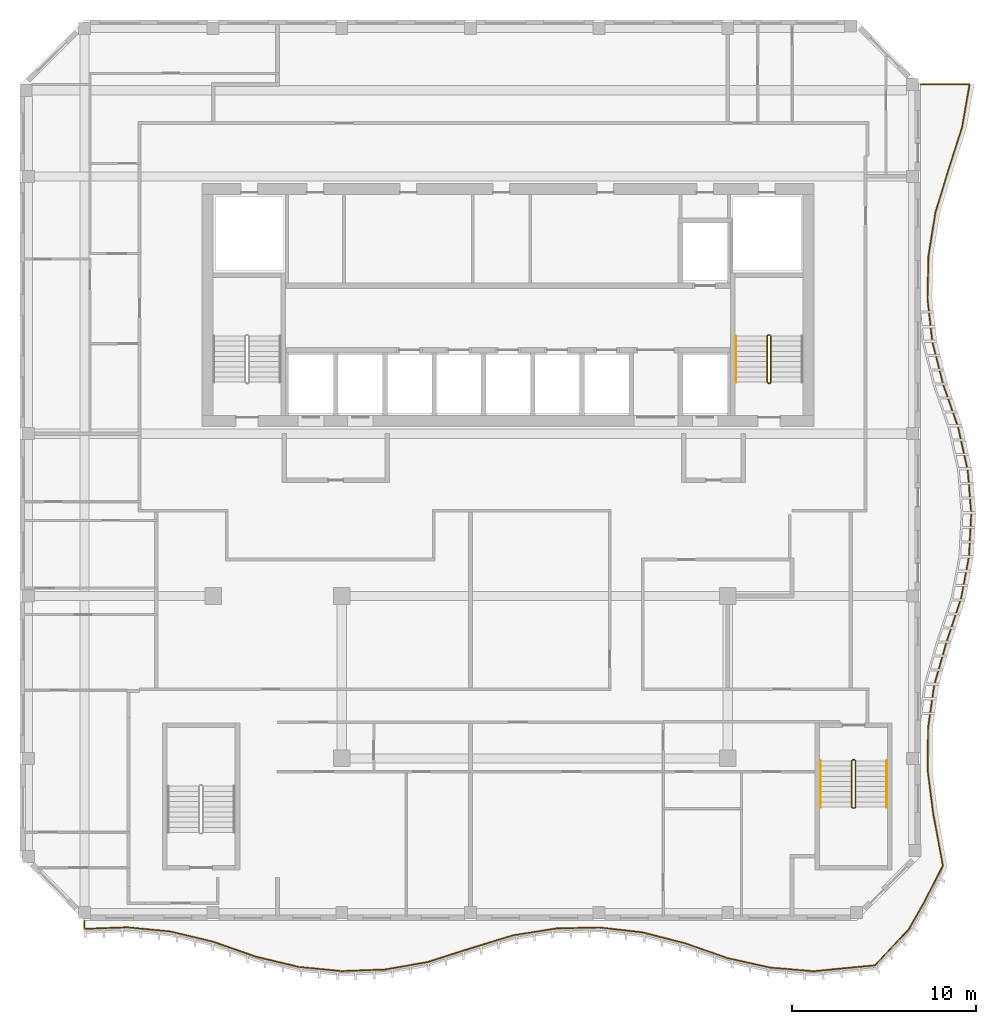
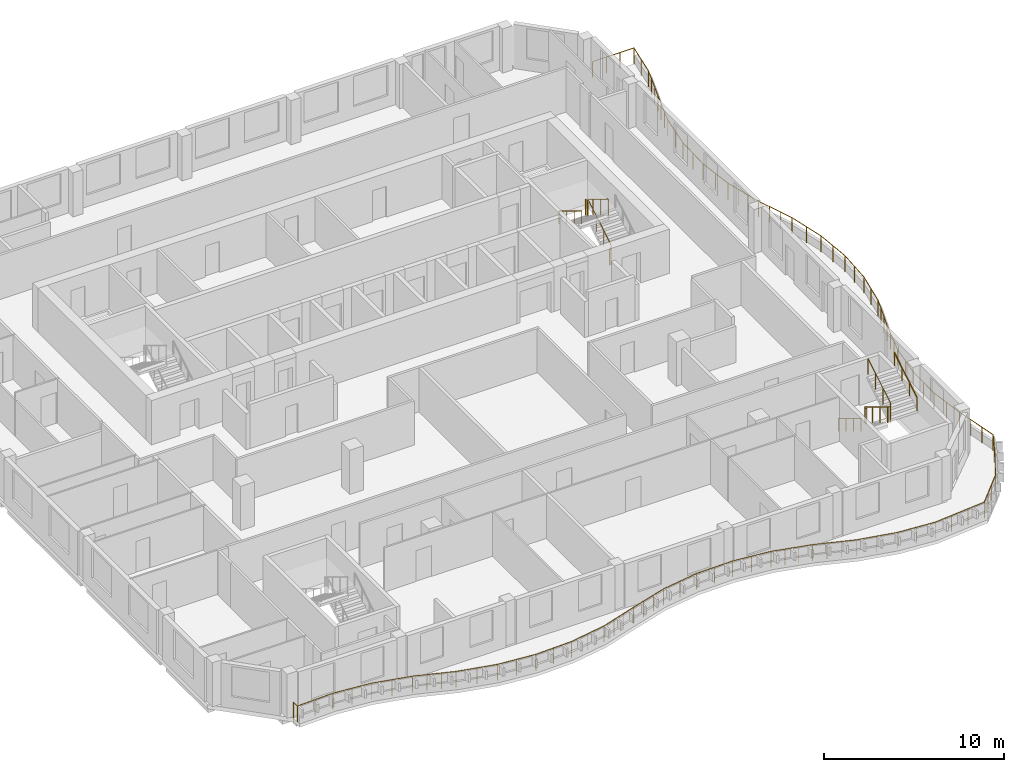
# One storey, part 12 of 13: 6 railings.
"""IFC4 building model written with IfcOpenShell, lengths in metres."""

from ifc_helpers import new_model, si_unit, direction, frame, origin, origin_2d, place, context, subcontext, project, spatial, circle, extrude, material, type_object, element, save


model = new_model("IFC4")

# Units and contexts
model_context = context("Model", 3, precision=1e-05, world=origin(), true_north=direction((0.0, 1.0)))
body_context = subcontext(model_context, "Body", "Model", "MODEL_VIEW")
ifc_project = project(units=[si_unit("LENGTHUNIT", "METRE"), si_unit("AREAUNIT", "SQUARE_METRE"), si_unit("VOLUMEUNIT", "CUBIC_METRE"), si_unit("PLANEANGLEUNIT", "RADIAN"), si_unit("MASSUNIT", "GRAM", prefix="KILO")], contexts=[model_context])

# Site, building, storey
site_placement = place(None, origin())
site = spatial("IfcSite", under=ifc_project, at=site_placement, CompositionType="ELEMENT")
building_placement = place(site_placement, origin())
building = spatial("IfcBuilding", under=site, at=building_placement, Name="Kilnfold Tower and Market Hall", CompositionType="ELEMENT")
storey_placement = place(building_placement, frame((0.0, 0.0, 287.39990234375)))
storey = spatial("IfcBuildingStorey", under=building, at=storey_placement, Name="L71", CompositionType="ELEMENT", Elevation=287.39990234375)

# Railings
ifc_material_1 = material(Name="Stainless steel 316", Category="steel")
railing_type_1 = type_object("IfcRailingType", Name="CORE STAIR GUARD 1100", PredefinedType="GUARDRAIL", material=ifc_material_1)
railing_1_placement = place(storey_placement, frame((15.199951171875, 10.75, 0.0)))
element("IfcRailing", 1, at=railing_1_placement, inside=storey, type_object=railing_type_1, Name="L71 ST2 stair guard 1", PredefinedType="GUARDRAIL", context=body_context, shape_type="SweptSolid", body=[
    extrude(circle(Radius=0.02392578125, at=origin_2d()), frame((0.0, 0.0, 1.076171875), z_axis=(1.0, 0.0, 0.0), x_axis=(0.0, 1.0, 0.0)), (0.0, 0.0, 1.0), 0.10009765625),
    extrude(circle(Radius=0.02392578125, at=origin_2d()), frame((0.10009765625, 0.0, 1.076171875), z_axis=(0.271562723297, 0.271562723297, 0.923313259209), x_axis=(-0.707106781187, 0.707106781187, 0.0)), (0.0, 0.0, 1.0), 0.184326171875),
    extrude(circle(Radius=0.02392578125, at=origin_2d()), frame((0.150146484375, 0.050048828125, 1.24609375), z_axis=(0.0, 0.85478489116, 0.518982456201), x_axis=(-1.0, 0.0, 0.0)), (0.0, 0.0, 1.0), 2.9482421875),
    extrude(circle(Radius=0.02392578125, at=origin_2d()), frame((0.150146484375, 2.570068359375, 2.7763671875), z_axis=(-0.707106781187, 0.707106781187, 0.0), x_axis=(-0.707106781187, -0.707106781187, 0.0)), (0.0, 0.0, 1.0), 0.07080078125),
    extrude(circle(Radius=0.02392578125, at=origin_2d()), frame((0.10009765625, 2.6201171875, 2.7763671875), z_axis=(-1.0, 0.0, 0.0), x_axis=(0.0, -1.0, 0.0)), (0.0, 0.0, 1.0), 0.10009765625),
    extrude(circle(Radius=0.02392578125, at=origin_2d()), frame((0.0, 2.6201171875, 2.7763671875), z_axis=(-0.271895245746, -0.271895245746, 0.923117517265), x_axis=(0.707106781187, -0.707106781187, 0.0)), (0.0, 0.0, 1.0), 0.18408203125),
    extrude(circle(Radius=0.02392578125, at=origin_2d()), frame((-0.050048828125, 2.570068359375, 2.9462890625), z_axis=(0.0, -0.85478489116, 0.518982456201), x_axis=(1.0, 0.0, 0.0)), (0.0, 0.0, 1.0), 2.9482421875),
    extrude(circle(Radius=0.02099609375, at=origin_2d()), origin(), (0.0, 0.0, 1.0), 1.052001953125),
    extrude(circle(Radius=0.02099609375, at=origin_2d()), frame((0.10009765625, 0.0, 0.0)), (0.0, 0.0, 1.0), 1.052001953125),
    extrude(circle(Radius=0.02099609375, at=origin_2d()), frame((0.150146484375, 0.050048828125, 0.170166015625)), (0.0, 0.0, 1.0), 1.052001953125),
    extrude(circle(Radius=0.02099609375, at=origin_2d()), frame((0.150146484375, 0.89013671875, 0.68017578125)), (0.0, 0.0, 1.0), 1.052001953125),
    extrude(circle(Radius=0.02099609375, at=origin_2d()), frame((0.150146484375, 1.72998046875, 1.190185546875)), (0.0, 0.0, 1.0), 1.052001953125),
    extrude(circle(Radius=0.02099609375, at=origin_2d()), frame((0.150146484375, 2.570068359375, 1.7001953125)), (0.0, 0.0, 1.0), 1.052001953125),
    extrude(circle(Radius=0.02099609375, at=origin_2d()), frame((0.10009765625, 2.6201171875, 1.7001953125)), (0.0, 0.0, 1.0), 1.052001953125),
    extrude(circle(Radius=0.02099609375, at=origin_2d()), frame((0.0, 2.6201171875, 1.7001953125)), (0.0, 0.0, 1.0), 1.052001953125),
    extrude(circle(Radius=0.02099609375, at=origin_2d()), frame((-0.050048828125, 2.570068359375, 1.8701171875)), (0.0, 0.0, 1.0), 1.052001953125),
    extrude(circle(Radius=0.02099609375, at=origin_2d()), frame((-0.050048828125, 1.72998046875, 2.380126953125)), (0.0, 0.0, 1.0), 1.052001953125),
    extrude(circle(Radius=0.02099609375, at=origin_2d()), frame((-0.050048828125, 0.89013671875, 2.89013671875)), (0.0, 0.0, 1.0), 1.052001953125),
    extrude(circle(Radius=0.02099609375, at=origin_2d()), frame((-0.050048828125, 0.050048828125, 3.400146484375)), (0.0, 0.0, 1.0), 1.052001953125),
])
railing_2_placement = place(storey_placement, frame((19.89990234375, -9.75, 0.0)))
element("IfcRailing", 2, at=railing_2_placement, inside=storey, type_object=railing_type_1, Name="L71 ST4 stair guard 1", PredefinedType="GUARDRAIL", context=body_context, shape_type="SweptSolid", body=[
    extrude(circle(Radius=0.02392578125, at=origin_2d()), frame((0.0, 0.0, 1.076171875), z_axis=(-1.0, 0.0, 0.0), x_axis=(0.0, -1.0, 0.0)), (0.0, 0.0, 1.0), 0.099853515625),
    extrude(circle(Radius=0.02392578125, at=origin_2d()), frame((-0.099853515625, 0.0, 1.076171875), z_axis=(-0.271562723297, -0.271562723297, 0.923313259209), x_axis=(0.707106781187, -0.707106781187, 0.0)), (0.0, 0.0, 1.0), 0.184326171875),
    extrude(circle(Radius=0.02392578125, at=origin_2d()), frame((-0.14990234375, -0.050048828125, 1.24609375), z_axis=(0.0, -0.85478489116, 0.518982456201), x_axis=(1.0, 0.0, 0.0)), (0.0, 0.0, 1.0), 2.9482421875),
    extrude(circle(Radius=0.02392578125, at=origin_2d()), frame((-0.14990234375, -2.570068359375, 2.7763671875), z_axis=(0.707106781187, -0.707106781187, 0.0), x_axis=(0.707106781187, 0.707106781187, 0.0)), (0.0, 0.0, 1.0), 0.07080078125),
    extrude(circle(Radius=0.02392578125, at=origin_2d()), frame((-0.099853515625, -2.6201171875, 2.7763671875), z_axis=(1.0, 0.0, 0.0), x_axis=(0.0, 1.0, 0.0)), (0.0, 0.0, 1.0), 0.099853515625),
    extrude(circle(Radius=0.02392578125, at=origin_2d()), frame((0.0, -2.6201171875, 2.7763671875), z_axis=(0.271895245746, 0.271895245746, 0.923117517265), x_axis=(-0.707106781187, 0.707106781187, 0.0)), (0.0, 0.0, 1.0), 0.18408203125),
    extrude(circle(Radius=0.02392578125, at=origin_2d()), frame((0.050048828125, -2.570068359375, 2.9462890625), z_axis=(0.0, 0.85478489116, 0.518982456201), x_axis=(-1.0, 0.0, 0.0)), (0.0, 0.0, 1.0), 2.9482421875),
    extrude(circle(Radius=0.02099609375, at=origin_2d()), origin(), (0.0, 0.0, 1.0), 1.052001953125),
    extrude(circle(Radius=0.02099609375, at=origin_2d()), frame((-0.099853515625, 0.0, 0.0)), (0.0, 0.0, 1.0), 1.052001953125),
    extrude(circle(Radius=0.02099609375, at=origin_2d()), frame((-0.14990234375, -0.050048828125, 0.170166015625)), (0.0, 0.0, 1.0), 1.052001953125),
    extrude(circle(Radius=0.02099609375, at=origin_2d()), frame((-0.14990234375, -0.89013671875, 0.68017578125)), (0.0, 0.0, 1.0), 1.052001953125),
    extrude(circle(Radius=0.02099609375, at=origin_2d()), frame((-0.14990234375, -1.72998046875, 1.190185546875)), (0.0, 0.0, 1.0), 1.052001953125),
    extrude(circle(Radius=0.02099609375, at=origin_2d()), frame((-0.14990234375, -2.570068359375, 1.7001953125)), (0.0, 0.0, 1.0), 1.052001953125),
    extrude(circle(Radius=0.02099609375, at=origin_2d()), frame((-0.099853515625, -2.6201171875, 1.7001953125)), (0.0, 0.0, 1.0), 1.052001953125),
    extrude(circle(Radius=0.02099609375, at=origin_2d()), frame((0.0, -2.6201171875, 1.7001953125)), (0.0, 0.0, 1.0), 1.052001953125),
    extrude(circle(Radius=0.02099609375, at=origin_2d()), frame((0.050048828125, -2.570068359375, 1.8701171875)), (0.0, 0.0, 1.0), 1.052001953125),
    extrude(circle(Radius=0.02099609375, at=origin_2d()), frame((0.050048828125, -1.72998046875, 2.380126953125)), (0.0, 0.0, 1.0), 1.052001953125),
    extrude(circle(Radius=0.02099609375, at=origin_2d()), frame((0.050048828125, -0.89013671875, 2.89013671875)), (0.0, 0.0, 1.0), 1.052001953125),
    extrude(circle(Radius=0.02099609375, at=origin_2d()), frame((0.050048828125, -0.050048828125, 3.400146484375)), (0.0, 0.0, 1.0), 1.052001953125),
])
ifc_material_2 = material(Name="Stainless steel 316", Category="steel")
railing_type_2 = type_object("IfcRailingType", Name="CORE STAIR HANDRAIL 900", PredefinedType="HANDRAIL", material=ifc_material_2)
for number, where, name in (
    (3, (13.449951171875, 13.320068359375, 1.8701171875), "L71 ST2 stair handrail 2"),
    (4, (18.050048828125, -9.800048828125, 0.170166015625), "L71 ST4 stair handrail 1"),
):
    element("IfcRailing", number, at=place(storey_placement, frame(where)), inside=storey, type_object=railing_type_2, Name=name, PredefinedType="HANDRAIL", context=body_context, shape_type="SweptSolid", body=[
        extrude(circle(Radius=0.02392578125, at=origin_2d()), frame((0.0, 0.0, 0.8759765625), z_axis=(0.0, -0.85478489116, 0.518982456201), x_axis=(1.0, 0.0, 0.0)), (0.0, 0.0, 1.0), 2.9482421875),
        extrude(circle(Radius=0.02099609375, at=origin_2d()), origin(), (0.0, 0.0, 1.0), 0.851806640625),
        extrude(circle(Radius=0.02099609375, at=origin_2d()), frame((0.0, -0.840087890625, 0.510009765625)), (0.0, 0.0, 1.0), 0.851806640625),
        extrude(circle(Radius=0.02099609375, at=origin_2d()), frame((0.0, -1.679931640625, 1.02001953125)), (0.0, 0.0, 1.0), 0.851806640625),
        extrude(circle(Radius=0.02099609375, at=origin_2d()), frame((0.0, -2.52001953125, 1.530029296875)), (0.0, 0.0, 1.0), 0.851806640625),
    ])
railing_3_placement = place(storey_placement, frame((21.64990234375, -12.320068359375, 1.8701171875)))
element("IfcRailing", 5, at=railing_3_placement, inside=storey, type_object=railing_type_2, Name="L71 ST4 stair handrail 2", PredefinedType="HANDRAIL", context=body_context, shape_type="SweptSolid", body=[
    extrude(circle(Radius=0.02392578125, at=origin_2d()), frame((0.0, 0.0, 0.8759765625), z_axis=(0.0, 0.85478489116, 0.518982456201), x_axis=(-1.0, 0.0, 0.0)), (0.0, 0.0, 1.0), 2.9482421875),
    extrude(circle(Radius=0.02099609375, at=origin_2d()), origin(), (0.0, 0.0, 1.0), 0.851806640625),
    extrude(circle(Radius=0.02099609375, at=origin_2d()), frame((0.0, 0.840087890625, 0.510009765625)), (0.0, 0.0, 1.0), 0.851806640625),
    extrude(circle(Radius=0.02099609375, at=origin_2d()), frame((0.0, 1.679931640625, 1.02001953125)), (0.0, 0.0, 1.0), 0.851806640625),
    extrude(circle(Radius=0.02099609375, at=origin_2d()), frame((0.0, 2.52001953125, 1.530029296875)), (0.0, 0.0, 1.0), 0.851806640625),
])
ifc_material_3 = material(Name="Stainless steel and laminated glass", Category="steel")
railing_type_3 = type_object("IfcRailingType", Name="GUARD 1100", PredefinedType="GUARDRAIL", material=ifc_material_3)
railing_4_placement = place(storey_placement, frame((-22.0, -18.5, 0.0)))
element("IfcRailing", 6, at=railing_4_placement, inside=storey, type_object=railing_type_3, Name="Guard balcony L71", PredefinedType="GUARDRAIL", context=body_context, shape_type="SweptSolid", body=[
    extrude(circle(Radius=0.02490234375, at=origin_2d()), frame((0.0, 0.0, 1.0751953125), z_axis=(0.0, -1.0, 0.0), x_axis=(1.0, 0.0, 0.0)), (0.0, 0.0, 1.0), 0.44482421875),
    extrude(circle(Radius=0.02490234375, at=origin_2d()), frame((0.0, -0.44482421875, 1.0751953125), z_axis=(0.999303038081, 0.037328783572, 0.0), x_axis=(-0.037328783572, 0.999303038081, 0.0)), (0.0, 0.0, 1.0), 2.3349609375),
    extrude(circle(Radius=0.02490234375, at=origin_2d()), frame((2.333251953125, -0.357666015625, 1.0751953125), z_axis=(0.995289594459, -0.096946496384, 0.0), x_axis=(0.096946496384, 0.995289594459, 0.0)), (0.0, 0.0, 1.0), 2.344482421875),
    extrude(circle(Radius=0.02490234375, at=origin_2d()), frame((4.666748046875, -0.5849609375, 1.0751953125), z_axis=(0.972908793579, -0.231189271761, 0.0), x_axis=(0.231189271761, 0.972908793579, 0.0)), (0.0, 0.0, 1.0), 2.398193359375),
    extrude(circle(Radius=0.02490234375, at=origin_2d()), frame((7.0, -1.139404296875, 1.0751953125), z_axis=(0.943455967454, -0.331497869489, 0.0), x_axis=(0.331497869489, 0.943455967454, 0.0)), (0.0, 0.0, 1.0), 2.47314453125),
    extrude(circle(Radius=0.02490234375, at=origin_2d()), frame((9.333251953125, -1.959228515625, 1.0751953125), z_axis=(0.972845516139, -0.231455399006, 0.0), x_axis=(0.231455399006, 0.972845516139, 0.0)), (0.0, 0.0, 1.0), 2.398681640625),
    extrude(circle(Radius=0.02490234375, at=origin_2d()), frame((11.666748046875, -2.514404296875, 1.0751953125), z_axis=(0.995268495211, -0.097162865547, 0.0), x_axis=(0.097162865547, 0.995268495211, 0.0)), (0.0, 0.0, 1.0), 2.34423828125),
    extrude(circle(Radius=0.02490234375, at=origin_2d()), frame((14.0, -2.7421875, 1.0751953125), z_axis=(0.999310817255, 0.037119947695, 0.0), x_axis=(-0.037119947695, 0.999310817255, 0.0)), (0.0, 0.0, 1.0), 2.3349609375),
    extrude(circle(Radius=0.02490234375, at=origin_2d()), frame((16.333251953125, -2.655517578125, 1.0751953125), z_axis=(0.985233686596, 0.171215019192, 0.0), x_axis=(-0.171215019192, 0.985233686596, 0.0)), (0.0, 0.0, 1.0), 2.368408203125),
    extrude(circle(Radius=0.02490234375, at=origin_2d()), frame((18.666748046875, -2.25, 1.0751953125), z_axis=(0.95225740835, 0.305296295823, 0.0), x_axis=(-0.305296295823, 0.95225740835, 0.0)), (0.0, 0.0, 1.0), 2.4501953125),
    extrude(circle(Radius=0.02490234375, at=origin_2d()), frame((21.0, -1.501953125, 1.0751953125), z_axis=(0.956608396166, 0.29137669156, 0.0), x_axis=(-0.29137669156, 0.956608396166, 0.0)), (0.0, 0.0, 1.0), 2.439208984375),
    extrude(circle(Radius=0.02490234375, at=origin_2d()), frame((23.333251953125, -0.791259765625, 1.0751953125), z_axis=(0.987589778257, 0.157055499367, 0.0), x_axis=(-0.157055499367, 0.987589778257, 0.0)), (0.0, 0.0, 1.0), 2.36279296875),
    extrude(circle(Radius=0.02490234375, at=origin_2d()), frame((25.666748046875, -0.420166015625, 1.0751953125), z_axis=(0.999739941902, 0.022804573332, 0.0), x_axis=(-0.022804573332, 0.999739941902, 0.0)), (0.0, 0.0, 1.0), 2.333740234375),
    extrude(circle(Radius=0.02490234375, at=origin_2d()), frame((28.0, -0.366943359375, 1.0751953125), z_axis=(0.993767796015, -0.111470030065, 0.0), x_axis=(0.111470030065, 0.993767796015, 0.0)), (0.0, 0.0, 1.0), 2.347900390625),
    extrude(circle(Radius=0.02490234375, at=origin_2d()), frame((30.333251953125, -0.628662109375, 1.0751953125), z_axis=(0.969337830713, -0.245731906656, 0.0), x_axis=(0.245731906656, 0.969337830713, 0.0)), (0.0, 0.0, 1.0), 2.4072265625),
    extrude(circle(Radius=0.02490234375, at=origin_2d()), frame((32.666748046875, -1.22021484375, 1.0751953125), z_axis=(0.943979944569, -0.330002824611, 0.0), x_axis=(0.330002824611, 0.943979944569, 0.0)), (0.0, 0.0, 1.0), 2.4716796875),
    extrude(circle(Radius=0.02490234375, at=origin_2d()), frame((35.0, -2.035888671875, 1.0751953125), z_axis=(0.976182253207, -0.216952088083, 0.0), x_axis=(0.216952088083, 0.976182253207, 0.0)), (0.0, 0.0, 1.0), 2.39013671875),
    extrude(circle(Radius=0.02490234375, at=origin_2d()), frame((37.333251953125, -2.554443359375, 1.0751953125), z_axis=(0.996584479795, -0.082579504917, 0.0), x_axis=(0.082579504917, 0.996584479795, 0.0)), (0.0, 0.0, 1.0), 2.341552734375),
    extrude(circle(Radius=0.02490234375, at=origin_2d()), frame((39.666748046875, -2.747802734375, 1.0751953125), z_axis=(0.995422222904, 0.095575091676, 0.0), x_axis=(-0.095575091676, 0.995422222904, 0.0)), (0.0, 0.0, 1.0), 3.35400390625),
    extrude(circle(Radius=0.02490234375, at=origin_2d()), frame((43.00537109375, -2.42724609375, 1.0751953125), z_axis=(0.686126841928, 0.727481928838, 0.0), x_axis=(-0.727481928838, 0.686126841928, 0.0)), (0.0, 0.0, 1.0), 2.656494140625),
    extrude(circle(Radius=0.02490234375, at=origin_2d()), frame((44.828125, -0.49462890625, 1.0751953125), z_axis=(0.49818388275, 0.867071403616, 0.0), x_axis=(-0.867071403616, 0.49818388275, 0.0)), (0.0, 0.0, 1.0), 1.708740234375),
    extrude(circle(Radius=0.02490234375, at=origin_2d()), frame((45.679443359375, 0.987060546875, 1.0751953125), z_axis=(0.454844600621, 0.890570822162, 0.0), x_axis=(-0.890570822162, 0.454844600621, 0.0)), (0.0, 0.0, 1.0), 2.26025390625),
    extrude(circle(Radius=0.02490234375, at=origin_2d()), frame((46.70751953125, 3.0, 1.0751953125), z_axis=(-0.183966349119, 0.982932542137, 0.0), x_axis=(-0.982932542137, -0.183966349119, 0.0)), (0.0, 0.0, 1.0), 2.882568359375),
    extrude(circle(Radius=0.02490234375, at=origin_2d()), frame((46.17724609375, 5.833251953125, 1.0751953125), z_axis=(-0.126205998264, 0.992004055436, 0.0), x_axis=(-0.992004055436, -0.126205998264, 0.0)), (0.0, 0.0, 1.0), 2.352294921875),
    extrude(circle(Radius=0.02490234375, at=origin_2d()), frame((45.88037109375, 8.166748046875, 1.0751953125), z_axis=(0.007952034847, 0.999968382071, 0.0), x_axis=(-0.999968382071, 0.007952034847, 0.0)), (0.0, 0.0, 1.0), 2.333251953125),
    extrude(circle(Radius=0.02490234375, at=origin_2d()), frame((45.89892578125, 10.5, 1.0751953125), z_axis=(0.14230579139, 0.989822742584, 0.0), x_axis=(-0.989822742584, 0.14230579139, 0.0)), (0.0, 0.0, 1.0), 2.357177734375),
    extrude(circle(Radius=0.02490234375, at=origin_2d()), frame((46.234375, 12.833251953125, 1.0751953125), z_axis=(0.276592977758, 0.960987161545, 0.0), x_axis=(-0.960987161545, 0.276592977758, 0.0)), (0.0, 0.0, 1.0), 2.42822265625),
    extrude(circle(Radius=0.02490234375, at=origin_2d()), frame((46.906005859375, 15.166748046875, 1.0751953125), z_axis=(0.316614823647, 0.948554191097, 0.0), x_axis=(-0.948554191097, 0.316614823647, 0.0)), (0.0, 0.0, 1.0), 2.459716796875),
    extrude(circle(Radius=0.02490234375, at=origin_2d()), frame((47.684814453125, 17.5, 1.0751953125), z_axis=(0.186082127309, 0.982534193754, 0.0), x_axis=(-0.982534193754, 0.186082127309, 0.0)), (0.0, 0.0, 1.0), 2.374755859375),
    extrude(circle(Radius=0.02490234375, at=origin_2d()), frame((48.126708984375, 19.833251953125, 1.0751953125), z_axis=(0.051928171032, 0.998650822387, 0.0), x_axis=(-0.998650822387, 0.051928171032, 0.0)), (0.0, 0.0, 1.0), 2.336669921875),
    extrude(circle(Radius=0.02490234375, at=origin_2d()), frame((48.248046875, 22.166748046875, 1.0751953125), z_axis=(-0.082484518752, 0.99659234603, 0.0), x_axis=(-0.99659234603, -0.082484518752, 0.0)), (0.0, 0.0, 1.0), 2.34130859375),
    extrude(circle(Radius=0.02490234375, at=origin_2d()), frame((48.054931640625, 24.5, 1.0751953125), z_axis=(-0.216660052559, 0.976247110943, 0.0), x_axis=(-0.976247110943, -0.216660052559, 0.0)), (0.0, 0.0, 1.0), 2.39013671875),
    extrude(circle(Radius=0.02490234375, at=origin_2d()), frame((47.537109375, 26.833251953125, 1.0751953125), z_axis=(-0.329884042589, 0.944021460797, 0.0), x_axis=(-0.944021460797, -0.329884042589, 0.0)), (0.0, 0.0, 1.0), 2.471923828125),
    extrude(circle(Radius=0.02490234375, at=origin_2d()), frame((46.7216796875, 29.166748046875, 1.0751953125), z_axis=(-0.246041935802, 0.96925918403, 0.0), x_axis=(-0.96925918403, -0.246041935802, 0.0)), (0.0, 0.0, 1.0), 2.4072265625),
    extrude(circle(Radius=0.02490234375, at=origin_2d()), frame((46.12939453125, 31.5, 1.0751953125), z_axis=(-0.111675405291, 0.993744737774, 0.0), x_axis=(-0.993744737774, -0.111675405291, 0.0)), (0.0, 0.0, 1.0), 2.347900390625),
    extrude(circle(Radius=0.02490234375, at=origin_2d()), frame((45.8671875, 33.833251953125, 1.0751953125), z_axis=(0.022593101544, 0.999744743303, 0.0), x_axis=(-0.999744743303, 0.022593101544, 0.0)), (0.0, 0.0, 1.0), 2.333984375),
    extrude(circle(Radius=0.02490234375, at=origin_2d()), frame((45.919921875, 36.166748046875, 1.0751953125), z_axis=(0.15676914423, 0.98763527449, 0.0), x_axis=(-0.98763527449, 0.15676914423, 0.0)), (0.0, 0.0, 1.0), 2.362548828125),
    extrude(circle(Radius=0.02490234375, at=origin_2d()), frame((46.290283203125, 38.5, 1.0751953125), z_axis=(0.291101864674, 0.95669206351, 0.0), x_axis=(-0.95669206351, 0.291101864674, 0.0)), (0.0, 0.0, 1.0), 2.43896484375),
    extrude(circle(Radius=0.02490234375, at=origin_2d()), frame((47.000244140625, 40.833251953125, 1.0751953125), z_axis=(0.305448006527, 0.95220875616, 0.0), x_axis=(-0.95220875616, 0.305448006527, 0.0)), (0.0, 0.0, 1.0), 2.45068359375),
    extrude(circle(Radius=0.02490234375, at=origin_2d()), frame((47.748779296875, 43.166748046875, 1.0751953125), z_axis=(0.17163263585, 0.985161021514, 0.0), x_axis=(-0.985161021514, 0.17163263585, 0.0)), (0.0, 0.0, 1.0), 2.368408203125),
    extrude(circle(Radius=0.02490234375, at=origin_2d()), frame((48.1552734375, 45.5, 1.0751953125), z_axis=(-1.0, 0.0, 0.0), x_axis=(0.0, -1.0, 0.0)), (0.0, 0.0, 1.0), 2.6552734375),
    extrude(circle(Radius=0.02490234375, at=origin_2d()), origin(), (0.0, 0.0, 1.0), 1.050048828125),
    extrude(circle(Radius=0.02490234375, at=origin_2d()), frame((0.0, -0.44482421875, 0.0)), (0.0, 0.0, 1.0), 1.050048828125),
    extrude(circle(Radius=0.02490234375, at=origin_2d()), frame((1.16650390625, -0.4013671875, 0.0)), (0.0, 0.0, 1.0), 1.050048828125),
    extrude(circle(Radius=0.02490234375, at=origin_2d()), frame((2.333251953125, -0.357666015625, 0.0)), (0.0, 0.0, 1.0), 1.050048828125),
    extrude(circle(Radius=0.02490234375, at=origin_2d()), frame((3.5, -0.47119140625, 0.0)), (0.0, 0.0, 1.0), 1.050048828125),
    extrude(circle(Radius=0.02490234375, at=origin_2d()), frame((4.666748046875, -0.5849609375, 0.0)), (0.0, 0.0, 1.0), 1.050048828125),
    extrude(circle(Radius=0.02490234375, at=origin_2d()), frame((5.83349609375, -0.8623046875, 0.0)), (0.0, 0.0, 1.0), 1.050048828125),
    extrude(circle(Radius=0.02490234375, at=origin_2d()), frame((7.0, -1.139404296875, 0.0)), (0.0, 0.0, 1.0), 1.050048828125),
    extrude(circle(Radius=0.02490234375, at=origin_2d()), frame((7.77783203125, -1.41259765625, 0.0)), (0.0, 0.0, 1.0), 1.050048828125),
    extrude(circle(Radius=0.02490234375, at=origin_2d()), frame((8.555419921875, -1.68603515625, 0.0)), (0.0, 0.0, 1.0), 1.050048828125),
    extrude(circle(Radius=0.02490234375, at=origin_2d()), frame((9.333251953125, -1.959228515625, 0.0)), (0.0, 0.0, 1.0), 1.050048828125),
    extrude(circle(Radius=0.02490234375, at=origin_2d()), frame((10.5, -2.23681640625, 0.0)), (0.0, 0.0, 1.0), 1.050048828125),
    extrude(circle(Radius=0.02490234375, at=origin_2d()), frame((11.666748046875, -2.514404296875, 0.0)), (0.0, 0.0, 1.0), 1.050048828125),
    extrude(circle(Radius=0.02490234375, at=origin_2d()), frame((12.83349609375, -2.62841796875, 0.0)), (0.0, 0.0, 1.0), 1.050048828125),
    extrude(circle(Radius=0.02490234375, at=origin_2d()), frame((14.0, -2.7421875, 0.0)), (0.0, 0.0, 1.0), 1.050048828125),
    extrude(circle(Radius=0.02490234375, at=origin_2d()), frame((15.16650390625, -2.69873046875, 0.0)), (0.0, 0.0, 1.0), 1.050048828125),
    extrude(circle(Radius=0.02490234375, at=origin_2d()), frame((16.333251953125, -2.655517578125, 0.0)), (0.0, 0.0, 1.0), 1.050048828125),
    extrude(circle(Radius=0.02490234375, at=origin_2d()), frame((17.5, -2.45263671875, 0.0)), (0.0, 0.0, 1.0), 1.050048828125),
    extrude(circle(Radius=0.02490234375, at=origin_2d()), frame((18.666748046875, -2.25, 0.0)), (0.0, 0.0, 1.0), 1.050048828125),
    extrude(circle(Radius=0.02490234375, at=origin_2d()), frame((19.444580078125, -2.000732421875, 0.0)), (0.0, 0.0, 1.0), 1.050048828125),
    extrude(circle(Radius=0.02490234375, at=origin_2d()), frame((20.22216796875, -1.751220703125, 0.0)), (0.0, 0.0, 1.0), 1.050048828125),
    extrude(circle(Radius=0.02490234375, at=origin_2d()), frame((21.0, -1.501953125, 0.0)), (0.0, 0.0, 1.0), 1.050048828125),
    extrude(circle(Radius=0.02490234375, at=origin_2d()), frame((21.77783203125, -1.26513671875, 0.0)), (0.0, 0.0, 1.0), 1.050048828125),
    extrude(circle(Radius=0.02490234375, at=origin_2d()), frame((22.555419921875, -1.028076171875, 0.0)), (0.0, 0.0, 1.0), 1.050048828125),
    extrude(circle(Radius=0.02490234375, at=origin_2d()), frame((23.333251953125, -0.791259765625, 0.0)), (0.0, 0.0, 1.0), 1.050048828125),
    extrude(circle(Radius=0.02490234375, at=origin_2d()), frame((24.5, -0.605712890625, 0.0)), (0.0, 0.0, 1.0), 1.050048828125),
    extrude(circle(Radius=0.02490234375, at=origin_2d()), frame((25.666748046875, -0.420166015625, 0.0)), (0.0, 0.0, 1.0), 1.050048828125),
    extrude(circle(Radius=0.02490234375, at=origin_2d()), frame((26.83349609375, -0.3935546875, 0.0)), (0.0, 0.0, 1.0), 1.050048828125),
    extrude(circle(Radius=0.02490234375, at=origin_2d()), frame((28.0, -0.366943359375, 0.0)), (0.0, 0.0, 1.0), 1.050048828125),
    extrude(circle(Radius=0.02490234375, at=origin_2d()), frame((29.16650390625, -0.497802734375, 0.0)), (0.0, 0.0, 1.0), 1.050048828125),
    extrude(circle(Radius=0.02490234375, at=origin_2d()), frame((30.333251953125, -0.628662109375, 0.0)), (0.0, 0.0, 1.0), 1.050048828125),
    extrude(circle(Radius=0.02490234375, at=origin_2d()), frame((31.111083984375, -0.825927734375, 0.0)), (0.0, 0.0, 1.0), 1.050048828125),
    extrude(circle(Radius=0.02490234375, at=origin_2d()), frame((31.888916015625, -1.02294921875, 0.0)), (0.0, 0.0, 1.0), 1.050048828125),
    extrude(circle(Radius=0.02490234375, at=origin_2d()), frame((32.666748046875, -1.22021484375, 0.0)), (0.0, 0.0, 1.0), 1.050048828125),
    extrude(circle(Radius=0.02490234375, at=origin_2d()), frame((33.444580078125, -1.4921875, 0.0)), (0.0, 0.0, 1.0), 1.050048828125),
    extrude(circle(Radius=0.02490234375, at=origin_2d()), frame((34.22216796875, -1.763916015625, 0.0)), (0.0, 0.0, 1.0), 1.050048828125),
    extrude(circle(Radius=0.02490234375, at=origin_2d()), frame((35.0, -2.035888671875, 0.0)), (0.0, 0.0, 1.0), 1.050048828125),
    extrude(circle(Radius=0.02490234375, at=origin_2d()), frame((36.16650390625, -2.295166015625, 0.0)), (0.0, 0.0, 1.0), 1.050048828125),
    extrude(circle(Radius=0.02490234375, at=origin_2d()), frame((37.333251953125, -2.554443359375, 0.0)), (0.0, 0.0, 1.0), 1.050048828125),
    extrude(circle(Radius=0.02490234375, at=origin_2d()), frame((38.5, -2.651123046875, 0.0)), (0.0, 0.0, 1.0), 1.050048828125),
    extrude(circle(Radius=0.02490234375, at=origin_2d()), frame((39.666748046875, -2.747802734375, 0.0)), (0.0, 0.0, 1.0), 1.050048828125),
    extrude(circle(Radius=0.02490234375, at=origin_2d()), frame((40.779541015625, -2.640869140625, 0.0)), (0.0, 0.0, 1.0), 1.050048828125),
    extrude(circle(Radius=0.02490234375, at=origin_2d()), frame((41.892578125, -2.5341796875, 0.0)), (0.0, 0.0, 1.0), 1.050048828125),
    extrude(circle(Radius=0.02490234375, at=origin_2d()), frame((43.00537109375, -2.42724609375, 0.0)), (0.0, 0.0, 1.0), 1.050048828125),
    extrude(circle(Radius=0.02490234375, at=origin_2d()), frame((43.613037109375, -1.782958984375, 0.0)), (0.0, 0.0, 1.0), 1.050048828125),
    extrude(circle(Radius=0.02490234375, at=origin_2d()), frame((44.220458984375, -1.138916015625, 0.0)), (0.0, 0.0, 1.0), 1.050048828125),
    extrude(circle(Radius=0.02490234375, at=origin_2d()), frame((44.828125, -0.49462890625, 0.0)), (0.0, 0.0, 1.0), 1.050048828125),
    extrude(circle(Radius=0.02490234375, at=origin_2d()), frame((45.25390625, 0.24609375, 0.0)), (0.0, 0.0, 1.0), 1.050048828125),
    extrude(circle(Radius=0.02490234375, at=origin_2d()), frame((45.679443359375, 0.987060546875, 0.0)), (0.0, 0.0, 1.0), 1.050048828125),
    extrude(circle(Radius=0.02490234375, at=origin_2d()), frame((46.193359375, 1.99365234375, 0.0)), (0.0, 0.0, 1.0), 1.050048828125),
    extrude(circle(Radius=0.02490234375, at=origin_2d()), frame((46.70751953125, 3.0, 0.0)), (0.0, 0.0, 1.0), 1.050048828125),
    extrude(circle(Radius=0.02490234375, at=origin_2d()), frame((46.53076171875, 3.9443359375, 0.0)), (0.0, 0.0, 1.0), 1.050048828125),
    extrude(circle(Radius=0.02490234375, at=origin_2d()), frame((46.35400390625, 4.888916015625, 0.0)), (0.0, 0.0, 1.0), 1.050048828125),
    extrude(circle(Radius=0.02490234375, at=origin_2d()), frame((46.17724609375, 5.833251953125, 0.0)), (0.0, 0.0, 1.0), 1.050048828125),
    extrude(circle(Radius=0.02490234375, at=origin_2d()), frame((46.02880859375, 7.0, 0.0)), (0.0, 0.0, 1.0), 1.050048828125),
    extrude(circle(Radius=0.02490234375, at=origin_2d()), frame((45.88037109375, 8.166748046875, 0.0)), (0.0, 0.0, 1.0), 1.050048828125),
    extrude(circle(Radius=0.02490234375, at=origin_2d()), frame((45.8896484375, 9.33349609375, 0.0)), (0.0, 0.0, 1.0), 1.050048828125),
    extrude(circle(Radius=0.02490234375, at=origin_2d()), frame((45.89892578125, 10.5, 0.0)), (0.0, 0.0, 1.0), 1.050048828125),
    extrude(circle(Radius=0.02490234375, at=origin_2d()), frame((46.066650390625, 11.66650390625, 0.0)), (0.0, 0.0, 1.0), 1.050048828125),
    extrude(circle(Radius=0.02490234375, at=origin_2d()), frame((46.234375, 12.833251953125, 0.0)), (0.0, 0.0, 1.0), 1.050048828125),
    extrude(circle(Radius=0.02490234375, at=origin_2d()), frame((46.458251953125, 13.611083984375, 0.0)), (0.0, 0.0, 1.0), 1.050048828125),
    extrude(circle(Radius=0.02490234375, at=origin_2d()), frame((46.68212890625, 14.388916015625, 0.0)), (0.0, 0.0, 1.0), 1.050048828125),
    extrude(circle(Radius=0.02490234375, at=origin_2d()), frame((46.906005859375, 15.166748046875, 0.0)), (0.0, 0.0, 1.0), 1.050048828125),
    extrude(circle(Radius=0.02490234375, at=origin_2d()), frame((47.16552734375, 15.944580078125, 0.0)), (0.0, 0.0, 1.0), 1.050048828125),
    extrude(circle(Radius=0.02490234375, at=origin_2d()), frame((47.42529296875, 16.72216796875, 0.0)), (0.0, 0.0, 1.0), 1.050048828125),
    extrude(circle(Radius=0.02490234375, at=origin_2d()), frame((47.684814453125, 17.5, 0.0)), (0.0, 0.0, 1.0), 1.050048828125),
    extrude(circle(Radius=0.02490234375, at=origin_2d()), frame((47.90576171875, 18.66650390625, 0.0)), (0.0, 0.0, 1.0), 1.050048828125),
    extrude(circle(Radius=0.02490234375, at=origin_2d()), frame((48.126708984375, 19.833251953125, 0.0)), (0.0, 0.0, 1.0), 1.050048828125),
    extrude(circle(Radius=0.02490234375, at=origin_2d()), frame((48.1875, 21.0, 0.0)), (0.0, 0.0, 1.0), 1.050048828125),
    extrude(circle(Radius=0.02490234375, at=origin_2d()), frame((48.248046875, 22.166748046875, 0.0)), (0.0, 0.0, 1.0), 1.050048828125),
    extrude(circle(Radius=0.02490234375, at=origin_2d()), frame((48.1513671875, 23.33349609375, 0.0)), (0.0, 0.0, 1.0), 1.050048828125),
    extrude(circle(Radius=0.02490234375, at=origin_2d()), frame((48.054931640625, 24.5, 0.0)), (0.0, 0.0, 1.0), 1.050048828125),
    extrude(circle(Radius=0.02490234375, at=origin_2d()), frame((47.7958984375, 25.66650390625, 0.0)), (0.0, 0.0, 1.0), 1.050048828125),
    extrude(circle(Radius=0.02490234375, at=origin_2d()), frame((47.537109375, 26.833251953125, 0.0)), (0.0, 0.0, 1.0), 1.050048828125),
    extrude(circle(Radius=0.02490234375, at=origin_2d()), frame((47.265380859375, 27.611083984375, 0.0)), (0.0, 0.0, 1.0), 1.050048828125),
    extrude(circle(Radius=0.02490234375, at=origin_2d()), frame((46.993408203125, 28.388916015625, 0.0)), (0.0, 0.0, 1.0), 1.050048828125),
    extrude(circle(Radius=0.02490234375, at=origin_2d()), frame((46.7216796875, 29.166748046875, 0.0)), (0.0, 0.0, 1.0), 1.050048828125),
    extrude(circle(Radius=0.02490234375, at=origin_2d()), frame((46.524169921875, 29.944580078125, 0.0)), (0.0, 0.0, 1.0), 1.050048828125),
    extrude(circle(Radius=0.02490234375, at=origin_2d()), frame((46.326904296875, 30.72216796875, 0.0)), (0.0, 0.0, 1.0), 1.050048828125),
    extrude(circle(Radius=0.02490234375, at=origin_2d()), frame((46.12939453125, 31.5, 0.0)), (0.0, 0.0, 1.0), 1.050048828125),
    extrude(circle(Radius=0.02490234375, at=origin_2d()), frame((45.998291015625, 32.66650390625, 0.0)), (0.0, 0.0, 1.0), 1.050048828125),
    extrude(circle(Radius=0.02490234375, at=origin_2d()), frame((45.8671875, 33.833251953125, 0.0)), (0.0, 0.0, 1.0), 1.050048828125),
    extrude(circle(Radius=0.02490234375, at=origin_2d()), frame((45.8935546875, 35.0, 0.0)), (0.0, 0.0, 1.0), 1.050048828125),
    extrude(circle(Radius=0.02490234375, at=origin_2d()), frame((45.919921875, 36.166748046875, 0.0)), (0.0, 0.0, 1.0), 1.050048828125),
    extrude(circle(Radius=0.02490234375, at=origin_2d()), frame((46.10498046875, 37.33349609375, 0.0)), (0.0, 0.0, 1.0), 1.050048828125),
    extrude(circle(Radius=0.02490234375, at=origin_2d()), frame((46.290283203125, 38.5, 0.0)), (0.0, 0.0, 1.0), 1.050048828125),
    extrude(circle(Radius=0.02490234375, at=origin_2d()), frame((46.52685546875, 39.27783203125, 0.0)), (0.0, 0.0, 1.0), 1.050048828125),
    extrude(circle(Radius=0.02490234375, at=origin_2d()), frame((46.763671875, 40.055419921875, 0.0)), (0.0, 0.0, 1.0), 1.050048828125),
    extrude(circle(Radius=0.02490234375, at=origin_2d()), frame((47.000244140625, 40.833251953125, 0.0)), (0.0, 0.0, 1.0), 1.050048828125),
    extrude(circle(Radius=0.02490234375, at=origin_2d()), frame((47.249755859375, 41.611083984375, 0.0)), (0.0, 0.0, 1.0), 1.050048828125),
    extrude(circle(Radius=0.02490234375, at=origin_2d()), frame((47.499267578125, 42.388916015625, 0.0)), (0.0, 0.0, 1.0), 1.050048828125),
    extrude(circle(Radius=0.02490234375, at=origin_2d()), frame((47.748779296875, 43.166748046875, 0.0)), (0.0, 0.0, 1.0), 1.050048828125),
    extrude(circle(Radius=0.02490234375, at=origin_2d()), frame((47.9521484375, 44.33349609375, 0.0)), (0.0, 0.0, 1.0), 1.050048828125),
    extrude(circle(Radius=0.02490234375, at=origin_2d()), frame((48.1552734375, 45.5, 0.0)), (0.0, 0.0, 1.0), 1.050048828125),
    extrude(circle(Radius=0.02490234375, at=origin_2d()), frame((47.270263671875, 45.5, 0.0)), (0.0, 0.0, 1.0), 1.050048828125),
    extrude(circle(Radius=0.02490234375, at=origin_2d()), frame((46.385009765625, 45.5, 0.0)), (0.0, 0.0, 1.0), 1.050048828125),
    extrude(circle(Radius=0.02490234375, at=origin_2d()), frame((45.5, 45.5, 0.0)), (0.0, 0.0, 1.0), 1.050048828125),
])

save(model, "model.ifc")
